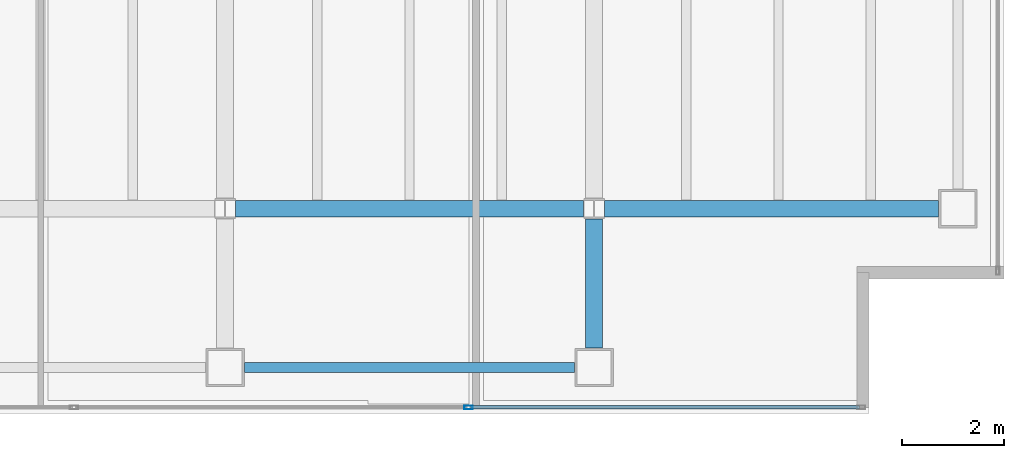
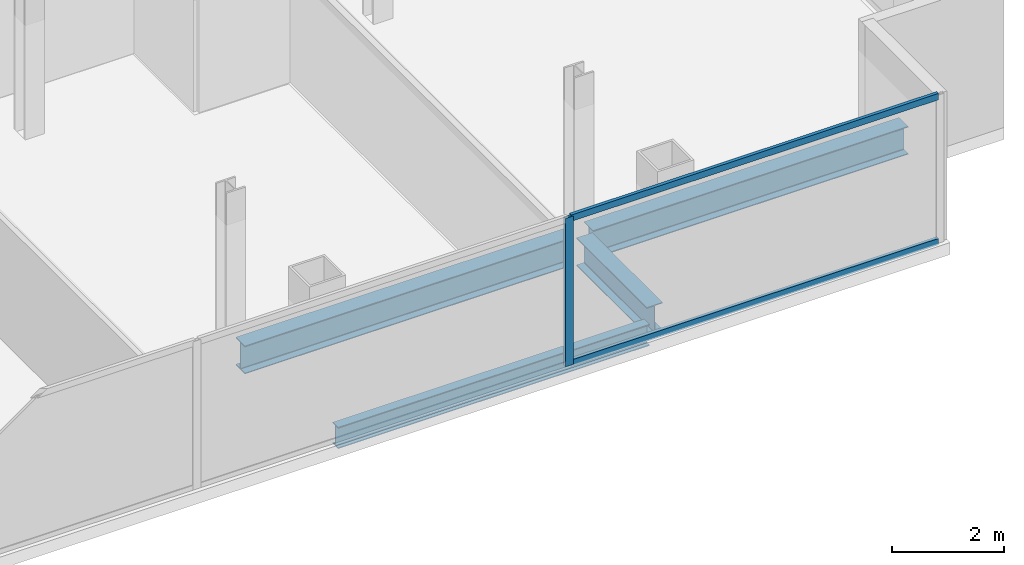
# One storey, part 10 of 23: 4 beams, 3 members, 1 element without a shape of its own.
"""IFC4 building model written with IfcOpenShell, lengths in metres."""

from ifc_helpers import new_model, si_unit, direction, frame, origin, origin_2d, place, context, subcontext, project, spatial, hollow_rectangle, i_section, extrude, material, material_profile, profile_set, type_object, element, aggregate, save


model = new_model("IFC4")

# Units and contexts
model_context = context("Model", 3, precision=1e-05, world=origin(), true_north=direction((0.0, 1.0)))
body_context = subcontext(model_context, "Body", "Model", "MODEL_VIEW")
ifc_project = project(units=[si_unit("LENGTHUNIT", "METRE"), si_unit("AREAUNIT", "SQUARE_METRE"), si_unit("VOLUMEUNIT", "CUBIC_METRE"), si_unit("PLANEANGLEUNIT", "RADIAN"), si_unit("MASSUNIT", "GRAM", prefix="KILO")], contexts=[model_context])

# Site, building, storey
site_placement = place(None, origin())
site = spatial("IfcSite", under=ifc_project, at=site_placement, CompositionType="ELEMENT")
building_placement = place(site_placement, origin())
building = spatial("IfcBuilding", under=site, at=building_placement, Name="Cobrela Telecom Tower", CompositionType="ELEMENT")
storey_placement = place(building_placement, frame((0.0, 0.0, 208.25)))
storey = spatial("IfcBuildingStorey", under=building, at=storey_placement, Name="L53", CompositionType="ELEMENT", Elevation=208.25)

# Beams
ifc_material_1 = material(Name="Steel ASTM A992 Grade 50", Category="steel")
ifc_material_profile_1 = material_profile(ifc_material_1, i_section(OverallWidth=0.324951171875, OverallDepth=0.612060546875, WebThickness=0.0126953125, FlangeThickness=0.01904296875, FilletRadius=0.014892578125, at=origin_2d()), Name="W24X104")
ifc_profile_set_1 = profile_set([ifc_material_profile_1], Name="Steel ASTM A992 Grade 50")
beam_type_1 = type_object("IfcBeamType", Name="BM-GIRD-07", PredefinedType="USERDEFINED", material=ifc_profile_set_1)
beam_1_placement = place(storey_placement, frame((29.00439453125, 7.199951171875, -0.56591796875), z_axis=(1.0, 0.0, 0.0), x_axis=(0.0, 1.0, 0.0)))
element("IfcBeam", 1, at=beam_1_placement, inside=storey, type_object=beam_type_1, Name="L53 Primary Girder X09", ObjectType="GIRDER", PredefinedType="USERDEFINED", context=body_context, shape_type="SweptSolid", body=[
    extrude(i_section(OverallWidth=0.324951171875, OverallDepth=0.612060546875, WebThickness=0.0126953125, FlangeThickness=0.01904296875, FilletRadius=0.014892578125, at=origin_2d()), origin(), (0.0, 0.0, 1.0), 6.791015625),
])
beam_2_placement = place(storey_placement, frame((36.20458984375, 7.199951171875, -0.56591796875), z_axis=(1.0, 0.0, 0.0), x_axis=(0.0, 1.0, 0.0)))
element("IfcBeam", 2, at=beam_2_placement, inside=storey, type_object=beam_type_1, Name="L53 Primary Girder X10", ObjectType="GIRDER", PredefinedType="USERDEFINED", context=body_context, shape_type="SweptSolid", body=[
    extrude(i_section(OverallWidth=0.324951171875, OverallDepth=0.612060546875, WebThickness=0.0126953125, FlangeThickness=0.01904296875, FilletRadius=0.014892578125, at=origin_2d()), origin(), (0.0, 0.0, 1.0), 6.515380859375),
])
beam_3_placement = place(storey_placement, frame((36.0, 4.47998046875, -0.56591796875), z_axis=(0.0, 1.0, 0.0), x_axis=(-1.0, 0.0, 0.0)))
element("IfcBeam", 3, at=beam_3_placement, inside=storey, type_object=beam_type_1, Name="L53 Primary Girder Y39", ObjectType="GIRDER", PredefinedType="USERDEFINED", context=body_context, shape_type="SweptSolid", body=[
    extrude(i_section(OverallWidth=0.324951171875, OverallDepth=0.612060546875, WebThickness=0.0126953125, FlangeThickness=0.01904296875, FilletRadius=0.014892578125, at=origin_2d()), origin(), (0.0, 0.0, 1.0), 2.515625),
])
ifc_material_profile_2 = material_profile(ifc_material_1, i_section(OverallWidth=0.193115234375, OverallDepth=0.467041015625, WebThickness=0.011474609375, FlangeThickness=0.01904296875, FilletRadius=0.012939453125, at=origin_2d()), Name="W18X65")
ifc_profile_set_2 = profile_set([ifc_material_profile_2], Name="Steel ASTM A992 Grade 50")
beam_type_2 = type_object("IfcBeamType", Name="BM-SPAND-05", PredefinedType="SPANDREL", material=ifc_profile_set_2)
beam_4_placement = place(storey_placement, frame((29.179931640625, 4.10009765625, -0.493408203125), z_axis=(1.0, 0.0, 0.0), x_axis=(0.0, 1.0, 0.0)))
element("IfcBeam", 4, at=beam_4_placement, inside=storey, type_object=beam_type_2, Name="L53 Perimeter Spandrel X04", PredefinedType="SPANDREL", context=body_context, shape_type="SweptSolid", body=[
    extrude(i_section(OverallWidth=0.193115234375, OverallDepth=0.467041015625, WebThickness=0.011474609375, FlangeThickness=0.01904296875, FilletRadius=0.012939453125, at=origin_2d()), origin(), (0.0, 0.0, 1.0), 6.440185546875),
])

# Curtain wall, members
ifc_material_2 = material(Name="Anodized Bronze Aluminium 6063-T6", Category="aluminium")
curtain_wall_type = type_object("IfcCurtainWallType", Name="CW-SYS-OFF-LO", PredefinedType="USERDEFINED", material=ifc_material_2)
curtain_wall_placement = place(storey_placement, origin())
curtain_wall = element("IfcCurtainWall", 5, at=curtain_wall_placement, inside=storey, type_object=curtain_wall_type, Name="L53 Unitised Bronze Curtain Wall 17", ObjectType="UNITISED CURTAIN WALL", PredefinedType="USERDEFINED")
ifc_material_profile_3 = material_profile(ifc_material_2, hollow_rectangle(XDim=0.070068359375, YDim=0.159912109375, WallThickness=0.00390625, at=origin_2d()), Name="ALU 70x160x4")
ifc_profile_set_3 = profile_set([ifc_material_profile_3], Name="Anodized Bronze Aluminium 6063-T6")
member_type_1 = type_object("IfcMemberType", Name="CW-SYS-OFF-LO-MUL", PredefinedType="MULLION", material=ifc_profile_set_3)
member_1_placement = place(storey_placement, frame((33.550048828125, 3.320068359375, 0.0), z_axis=(0.0, 0.0, 1.0), x_axis=(0.0, -1.0, 0.0)))
member_1 = element("IfcMember", 6, at=member_1_placement, type_object=member_type_1, Name="CW-OFF-LO mullion 2", PredefinedType="MULLION", context=body_context, shape_type="SweptSolid", body=[
    extrude(hollow_rectangle(XDim=0.070068359375, YDim=0.159912109375, WallThickness=0.00390625, at=origin_2d()), origin(), (0.0, 0.0, 1.0), 3.239990234375),
])
ifc_material_profile_4 = material_profile(ifc_material_2, hollow_rectangle(XDim=0.070068359375, YDim=0.139892578125, WallThickness=0.00390625, at=origin_2d()), Name="ALU 70x140x4")
ifc_profile_set_4 = profile_set([ifc_material_profile_4], Name="Anodized Bronze Aluminium 6063-T6")
member_type_2 = type_object("IfcMemberType", Name="CW-SYS-OFF-LO-TRN", PredefinedType="USERDEFINED", material=ifc_profile_set_4)
member_2_placement = place(storey_placement, frame((41.179931640625, 3.320068359375, 0.034912109375), z_axis=(-1.0, 0.0, 0.0), x_axis=(0.0, -1.0, 0.0)))
member_2 = element("IfcMember", 7, at=member_2_placement, type_object=member_type_2, Name="CW-OFF-LO transom 1.1", ObjectType="TRANSOM", PredefinedType="USERDEFINED", context=body_context, shape_type="SweptSolid", body=[
    extrude(hollow_rectangle(XDim=0.070068359375, YDim=0.139892578125, WallThickness=0.00390625, at=origin_2d()), origin(), (0.0, 0.0, 1.0), 7.594970703125),
])
member_3_placement = place(storey_placement, frame((41.179931640625, 3.320068359375, 3.205078125), z_axis=(-1.0, 0.0, 0.0), x_axis=(0.0, -1.0, 0.0)))
member_3 = element("IfcMember", 8, at=member_3_placement, type_object=member_type_2, Name="CW-OFF-LO transom 1.2", ObjectType="TRANSOM", PredefinedType="USERDEFINED", context=body_context, shape_type="SweptSolid", body=[
    extrude(hollow_rectangle(XDim=0.070068359375, YDim=0.139892578125, WallThickness=0.00390625, at=origin_2d()), origin(), (0.0, 0.0, 1.0), 7.594970703125),
])
aggregate(curtain_wall, [member_1, member_2, member_3])

save(model, "model.ifc")
